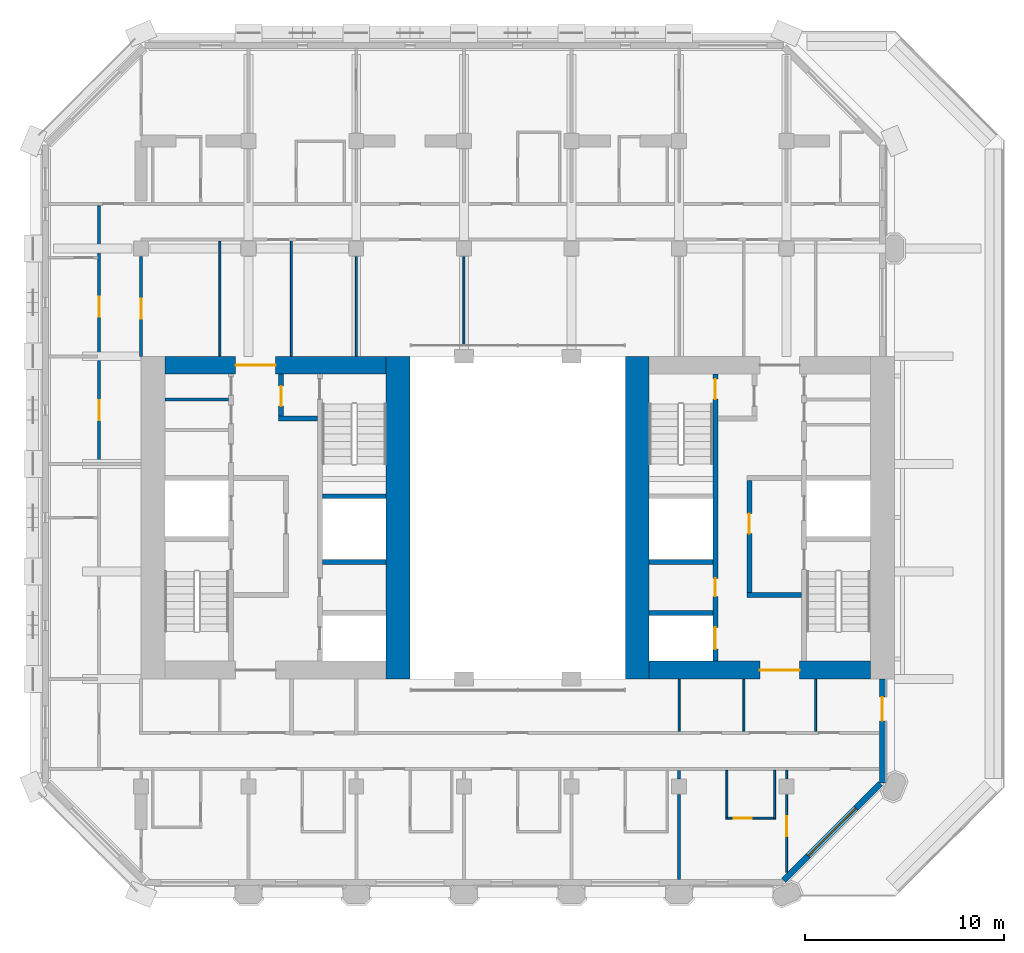
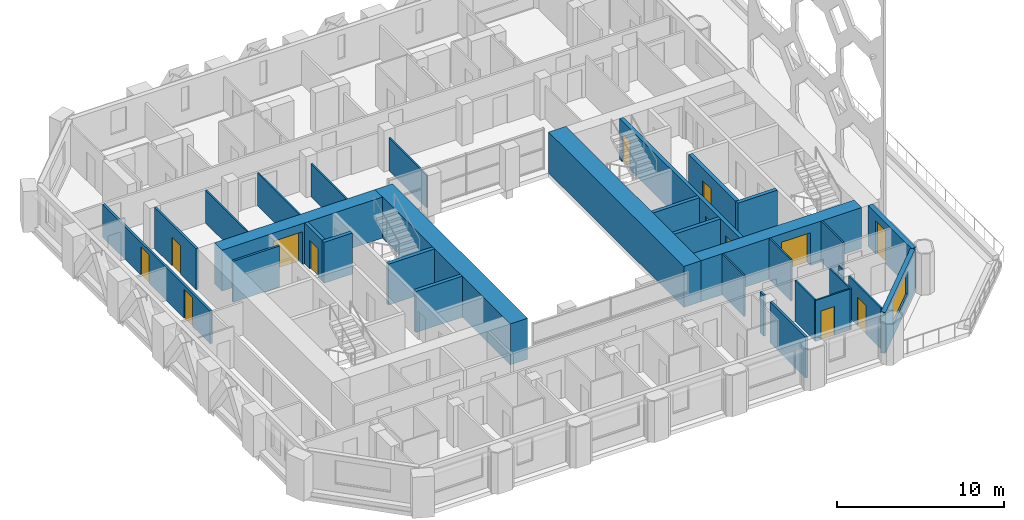
# One storey, part 9 of 15: 32 walls, 13 doors, 1 window, 14 openings.
"""IFC4 building model written with IfcOpenShell, lengths in metres."""

from ifc_helpers import new_model, si_unit, direction, frame, frame_2d, origin, place, context, subcontext, project, spatial, rectangle, extrude, material, layer, layer_set, type_object, element, fill, save


model = new_model("IFC4")

# Units and contexts
model_context = context("Model", 3, precision=1e-05, world=origin(), true_north=direction((0.0, 1.0)))
body_context = subcontext(model_context, "Body", "Model", "MODEL_VIEW")
ifc_project = project(units=[si_unit("LENGTHUNIT", "METRE"), si_unit("AREAUNIT", "SQUARE_METRE"), si_unit("VOLUMEUNIT", "CUBIC_METRE"), si_unit("PLANEANGLEUNIT", "RADIAN"), si_unit("MASSUNIT", "GRAM", prefix="KILO")], contexts=[model_context])

# Site, building, storey
site_placement = place(None, origin())
site = spatial("IfcSite", under=ifc_project, at=site_placement, CompositionType="ELEMENT")
building_placement = place(site_placement, origin())
building = spatial("IfcBuilding", under=site, at=building_placement, Name="Tabaq Tower and Sports Hall", CompositionType="ELEMENT")
storey_placement = place(building_placement, frame((0.0, 0.0, 207.10009765625)))
storey = spatial("IfcBuildingStorey", under=building, at=storey_placement, Name="L51", CompositionType="ELEMENT", Elevation=207.10009765625)

# Walls
ifc_material_1 = material(Name="Blockwork", Category="masonry")
ifc_layer_1 = layer(ifc_material_1, 0.14990234375)
ifc_layer_set_1 = layer_set([ifc_layer_1], Name="Core room partition 150 Blockwork")
wall_type_1 = type_object("IfcWallType", Name="Core room partition 150 Blockwork", PredefinedType="PARTITIONING", material=ifc_layer_set_1)
wall_1_placement = place(storey_placement, frame((6.60009765625, 30.23193359375, 0.0), z_axis=(0.0, 0.0, 1.0), x_axis=(1.0, 0.0, 0.0)))
element("IfcWall", 1, at=wall_1_placement, inside=storey, type_object=wall_type_1, Name="Core room partition W L51", PredefinedType="PARTITIONING", context=body_context, shape_type="SweptSolid", body=[
    extrude(rectangle(XDim=3.199951171875, YDim=0.14990234375, at=frame_2d((1.60009765625, 0.0))), origin(), (0.0, 0.0, 1.0), 3.0),
])
ifc_material_2 = material(Name="Concrete C50/60", Category="concrete")
ifc_layer_2 = layer(ifc_material_2, 1.199951171875)
ifc_layer_set_2 = layer_set([ifc_layer_2], Name="Core wall 1200 Concrete C50/60")
wall_type_2 = type_object("IfcWallType", Name="Core wall 1200 Concrete C50/60", PredefinedType="SOLIDWALL", material=ifc_layer_set_2)
for number, where, z_axis, x_axis, name in (
    (2, (18.300048828125, 32.39990234375, 0.0), (0.0, 0.0, 1.0), (0.0, -1.0, 0.0), "Core wall W L51"),
    (3, (30.300048828125, 16.199951171875, 0.0), (0.0, 0.0, 1.0), (0.0, 1.0, 0.0), "Core wall E L51"),
):
    element("IfcWall", number, at=place(storey_placement, frame(where, z_axis=z_axis, x_axis=x_axis)), inside=storey, type_object=wall_type_2, Name=name, PredefinedType="SOLIDWALL", context=body_context, shape_type="SweptSolid", body=[
        extrude(rectangle(XDim=16.199951171875, YDim=1.199951171875, at=frame_2d((8.10009765625, 0.0))), origin(), (0.0, 0.0, 1.0), 3.0),
    ])

# Wall, opening, door
ifc_material_3 = material(Name="Concrete C50/60", Category="concrete")
ifc_layer_3 = layer(ifc_material_3, 0.89990234375)
ifc_layer_set_3 = layer_set([ifc_layer_3], Name="Core wall 900 Concrete C50/60")
wall_type_3 = type_object("IfcWallType", Name="Core wall 900 Concrete C50/60", PredefinedType="SOLIDWALL", material=ifc_layer_set_3)
wall_2_placement = place(storey_placement, frame((6.60009765625, 31.949951171875, 0.0), z_axis=(0.0, 0.0, 1.0), x_axis=(1.0, 0.0, 0.0)))
wall_2 = element("IfcWall", 4, at=wall_2_placement, inside=storey, type_object=wall_type_3, Name="Core wall W L51", PredefinedType="SOLIDWALL", context=body_context, shape_type="SweptSolid", body=[
    extrude(rectangle(XDim=11.099853515625, YDim=0.89990234375, at=frame_2d((5.5498046875, 0.0))), origin(), (0.0, 0.0, 1.0), 3.0),
])
opening_1_placement = place(wall_2_placement, frame((3.550048828125, 0.0, 0.0)))
opening_1 = element("IfcOpeningElement", 5, at=opening_1_placement, cuts=wall_2, Name="Opening PD-WL51-02", PredefinedType="OPENING", context=body_context, shape_type="SweptSolid", body=[
    extrude(rectangle(XDim=2.0, YDim=2.39990234375, at=frame_2d((1.0, 1.199951171875))), frame((0.0, 0.449951171875, 0.0), z_axis=(0.0, -1.0, 0.0), x_axis=(1.0, 0.0, 0.0)), (0.0, 0.0, 1.0), 0.89990234375),
])
ifc_material_4 = material(Name="Steel fire door", Category="steel")
door_type_1 = type_object("IfcDoorType", Name="Core entrance door 2000", OperationType="DOUBLE_DOOR_SINGLE_SWING", PredefinedType="DOOR", material=ifc_material_4)
door_1_placement = place(opening_1_placement, origin())
door_1 = element("IfcDoor", 6, at=door_1_placement, inside=storey, type_object=door_type_1, Name="Core entrance north W L51", OperationType="DOUBLE_DOOR_SINGLE_SWING", OverallHeight=2.39990234375, OverallWidth=2.0, PredefinedType="DOOR", context=body_context, shape_type="SweptSolid", body=[
    extrude(rectangle(XDim=2.0, YDim=2.39990234375, at=frame_2d((1.0, 1.199951171875))), frame((0.0, 0.02490234375, 0.0), z_axis=(0.0, -1.0, 0.0), x_axis=(1.0, 0.0, 0.0)), (0.0, 0.0, 1.0), 0.050048828125),
])
fill(opening_1, door_1)

wall_3_placement = place(storey_placement, frame((42.0, 16.64990234375, 0.0), z_axis=(0.0, 0.0, 1.0), x_axis=(-1.0, 0.0, 0.0)))
wall_3 = element("IfcWall", 7, at=wall_3_placement, inside=storey, type_object=wall_type_3, Name="Core wall E L51", PredefinedType="SOLIDWALL", context=body_context, shape_type="SweptSolid", body=[
    extrude(rectangle(XDim=11.10009765625, YDim=0.89990234375, at=frame_2d((5.550048828125, 0.0))), origin(), (0.0, 0.0, 1.0), 3.0),
])
opening_2_placement = place(wall_3_placement, frame((3.550048828125, 0.0, 0.0)))
opening_2 = element("IfcOpeningElement", 8, at=opening_2_placement, cuts=wall_3, Name="Opening PD-EL51-01", PredefinedType="OPENING", context=body_context, shape_type="SweptSolid", body=[
    extrude(rectangle(XDim=2.0, YDim=2.39990234375, at=frame_2d((1.0, 1.199951171875))), frame((0.0, 0.449951171875, 0.0), z_axis=(0.0, -1.0, 0.0), x_axis=(1.0, 0.0, 0.0)), (0.0, 0.0, 1.0), 0.89990234375),
])
door_2_placement = place(opening_2_placement, origin())
door_2 = element("IfcDoor", 9, at=door_2_placement, inside=storey, type_object=door_type_1, Name="Core entrance south E L51", OperationType="DOUBLE_DOOR_SINGLE_SWING", OverallHeight=2.39990234375, OverallWidth=2.0, PredefinedType="DOOR", context=body_context, shape_type="SweptSolid", body=[
    extrude(rectangle(XDim=2.0, YDim=2.39990234375, at=frame_2d((1.0, 1.199951171875))), frame((0.0, 0.02490234375, 0.0), z_axis=(0.0, -1.0, 0.0), x_axis=(1.0, 0.0, 0.0)), (0.0, 0.0, 1.0), 0.050048828125),
])
fill(opening_2, door_2)

# Walls
ifc_material_5 = material(Name="Gypsum board on steel studs", Category="steel")
ifc_layer_4 = layer(ifc_material_5, 0.10009765625)
ifc_layer_set_4 = layer_set([ifc_layer_4], Name="Partition 100 Gypsum board")
wall_type_4 = type_object("IfcWallType", Name="Partition 100 Gypsum board", PredefinedType="PARTITIONING", material=ifc_layer_set_4)
wall_4_placement = place(storey_placement, frame((21.60009765625, 37.405029296875, 0.0), z_axis=(0.0, 0.0, 1.0), x_axis=(0.0, -1.0, 0.0)))
element("IfcWall", 10, at=wall_4_placement, inside=storey, type_object=wall_type_4, Name="Partition wall L51", PredefinedType="PARTITIONING", context=body_context, shape_type="SweptSolid", body=[
    extrude(rectangle(XDim=4.510009765625, YDim=0.10009765625, at=frame_2d((2.2548828125, 0.0))), origin(), (0.0, 0.0, 1.0), 2.39990234375),
])
wall_5_placement = place(storey_placement, frame((16.199951171875, 37.405029296875, 0.0), z_axis=(0.0, 0.0, 1.0), x_axis=(0.0, -1.0, 0.0)))
element("IfcWall", 11, at=wall_5_placement, inside=storey, type_object=wall_type_4, Name="Partition wall L51", PredefinedType="PARTITIONING", context=body_context, shape_type="SweptSolid", body=[
    extrude(rectangle(XDim=5.005126953125, YDim=0.10009765625, at=frame_2d((2.50244140625, 0.0))), origin(), (0.0, 0.0, 1.0), 2.39990234375),
])
for number, where, z_axis, x_axis, name in (
    (12, (12.949951171875, 32.39990234375, 0.0), (0.0, 0.0, 1.0), (0.0, 1.0, 0.0), "Partition wall L51"),
    (13, (9.35009765625, 38.175048828125, 0.0), (0.0, 0.0, 1.0), (0.0, -1.0, 0.0), "Partition wall L51"),
):
    element("IfcWall", number, at=place(storey_placement, frame(where, z_axis=z_axis, x_axis=x_axis)), inside=storey, type_object=wall_type_4, Name=name, PredefinedType="PARTITIONING", context=body_context, shape_type="SweptSolid", body=[
        extrude(rectangle(XDim=5.775146484375, YDim=0.10009765625, at=frame_2d((2.8876953125, 0.0))), origin(), (0.0, 0.0, 1.0), 2.39990234375),
    ])

# Wall, opening, door
wall_6_placement = place(storey_placement, frame((37.800048828125, 6.51220703125, 0.0), z_axis=(0.0, 0.0, 1.0), x_axis=(0.0, 1.0, 0.0)))
wall_6 = element("IfcWall", 14, at=wall_6_placement, inside=storey, type_object=wall_type_4, Name="Partition wall L51", PredefinedType="PARTITIONING", context=body_context, shape_type="SweptSolid", body=[
    extrude(rectangle(XDim=3.892822265625, YDim=0.10009765625, at=frame_2d((1.9462890625, 0.0))), origin(), (0.0, 0.0, 1.0), 3.0),
])
opening_3_placement = place(wall_6_placement, frame((1.80029296875, 0.0, 0.0)))
opening_3 = element("IfcOpeningElement", 15, at=opening_3_placement, cuts=wall_6, Name="Opening L51-047", PredefinedType="OPENING", context=body_context, shape_type="SweptSolid", body=[
    extrude(rectangle(XDim=1.0, YDim=2.10009765625, at=frame_2d((0.5, 1.050048828125))), frame((0.0, 0.050048828125, 0.0), z_axis=(0.0, -1.0, 0.0), x_axis=(1.0, 0.0, 0.0)), (0.0, 0.0, 1.0), 0.10009765625),
])
ifc_material_6 = material(Name="Timber leaf in steel frame", Category="steel")
door_type_2 = type_object("IfcDoorType", Name="Internal door 1000 right hand", OperationType="SINGLE_SWING_RIGHT", PredefinedType="DOOR", material=ifc_material_6)
door_3_placement = place(opening_3_placement, origin())
door_3 = element("IfcDoor", 16, at=door_3_placement, inside=storey, type_object=door_type_2, Name="Internal door L51-047", OperationType="SINGLE_SWING_RIGHT", OverallHeight=2.10009765625, OverallWidth=1.0, PredefinedType="DOOR", context=body_context, shape_type="SweptSolid", body=[
    extrude(rectangle(XDim=1.0, YDim=2.10009765625, at=frame_2d((0.5, 1.050048828125))), frame((0.0, 0.02490234375, 0.0), z_axis=(0.0, -1.0, 0.0), x_axis=(1.0, 0.0, 0.0)), (0.0, 0.0, 1.0), 0.050048828125),
])
fill(opening_3, door_3)

# Walls
wall_7_placement = place(storey_placement, frame((37.800048828125, 11.195068359375, 0.0), z_axis=(0.0, 0.0, 1.0), x_axis=(0.0, 1.0, 0.0)))
element("IfcWall", 17, at=wall_7_placement, inside=storey, type_object=wall_type_4, Name="Partition wall L51", PredefinedType="PARTITIONING", context=body_context, shape_type="SweptSolid", body=[
    extrude(rectangle(XDim=0.429931640625, YDim=0.10009765625, at=frame_2d((0.21484375, 0.0))), origin(), (0.0, 0.0, 1.0), 3.0),
])
wall_8_placement = place(storey_placement, frame((37.199951171875, 11.625, 0.0), z_axis=(0.0, 0.0, 1.0), x_axis=(0.0, -1.0, 0.0)))
element("IfcWall", 18, at=wall_8_placement, inside=storey, type_object=wall_type_4, Name="Partition wall L51", PredefinedType="PARTITIONING", context=body_context, shape_type="SweptSolid", body=[
    extrude(rectangle(XDim=2.449951171875, YDim=0.10009765625, at=frame_2d((1.22509765625, 0.0))), origin(), (0.0, 0.0, 1.0), 3.0),
])

# Wall, opening, door
wall_9_placement = place(storey_placement, frame((37.14990234375, 9.22509765625, 0.0), z_axis=(0.0, 0.0, 1.0), x_axis=(-1.0, 0.0, 0.0)))
wall_9 = element("IfcWall", 19, at=wall_9_placement, inside=storey, type_object=wall_type_4, Name="Partition wall L51", PredefinedType="PARTITIONING", context=body_context, shape_type="SweptSolid", body=[
    extrude(rectangle(XDim=2.39990234375, YDim=0.10009765625, at=frame_2d((1.199951171875, 0.0))), origin(), (0.0, 0.0, 1.0), 3.0),
])
opening_4_placement = place(wall_9_placement, frame((1.10009765625, 0.0, 0.0)))
opening_4 = element("IfcOpeningElement", 20, at=opening_4_placement, cuts=wall_9, Name="Opening L51-015", PredefinedType="OPENING", context=body_context, shape_type="SweptSolid", body=[
    extrude(rectangle(XDim=0.89990234375, YDim=2.10009765625, at=frame_2d((0.449951171875, 1.050048828125))), frame((0.0, 0.050048828125, 0.0), z_axis=(0.0, -1.0, 0.0), x_axis=(1.0, 0.0, 0.0)), (0.0, 0.0, 1.0), 0.10009765625),
])
ifc_material_7 = material(Name="Timber leaf in steel frame", Category="steel")
door_type_3 = type_object("IfcDoorType", Name="Internal door 900 right hand", OperationType="SINGLE_SWING_RIGHT", PredefinedType="DOOR", material=ifc_material_7)
door_4_placement = place(opening_4_placement, origin())
door_4 = element("IfcDoor", 21, at=door_4_placement, inside=storey, type_object=door_type_3, Name="Internal door L51-015", OperationType="SINGLE_SWING_RIGHT", OverallHeight=2.10009765625, OverallWidth=0.89990234375, PredefinedType="DOOR", context=body_context, shape_type="SweptSolid", body=[
    extrude(rectangle(XDim=0.89990234375, YDim=2.10009765625, at=frame_2d((0.449951171875, 1.050048828125))), frame((0.0, 0.02490234375, 0.0), z_axis=(0.0, -1.0, 0.0), x_axis=(1.0, 0.0, 0.0)), (0.0, 0.0, 1.0), 0.050048828125),
])
fill(opening_4, door_4)

# Walls
wall_10_placement = place(storey_placement, frame((34.800048828125, 9.27490234375, 0.0), z_axis=(0.0, 0.0, 1.0), x_axis=(0.0, 1.0, 0.0)))
element("IfcWall", 22, at=wall_10_placement, inside=storey, type_object=wall_type_4, Name="Partition wall L51", PredefinedType="PARTITIONING", context=body_context, shape_type="SweptSolid", body=[
    extrude(rectangle(XDim=2.35009765625, YDim=0.10009765625, at=frame_2d((1.175048828125, 0.0))), origin(), (0.0, 0.0, 1.0), 3.0),
])
for number, where, z_axis, x_axis, name in (
    (23, (32.39990234375, 13.574951171875, 0.0), (0.0, 0.0, 1.0), (0.0, 1.0, 0.0), "Partition wall L51"),
    (24, (35.64990234375, 16.199951171875, 0.0), (0.0, 0.0, 1.0), (0.0, -1.0, 0.0), "Partition wall L51"),
    (25, (39.25, 13.574951171875, 0.0), (0.0, 0.0, 1.0), (0.0, 1.0, 0.0), "Partition wall L51"),
):
    element("IfcWall", number, at=place(storey_placement, frame(where, z_axis=z_axis, x_axis=x_axis)), inside=storey, type_object=wall_type_4, Name=name, PredefinedType="PARTITIONING", context=body_context, shape_type="SweptSolid", body=[
        extrude(rectangle(XDim=2.625, YDim=0.10009765625, at=frame_2d((1.3125, 0.0))), origin(), (0.0, 0.0, 1.0), 3.0),
    ])

# Wall, openings, doors
ifc_material_8 = material(Name="Blockwork", Category="masonry")
ifc_layer_5 = layer(ifc_material_8, 0.14990234375)
ifc_layer_set_5 = layer_set([ifc_layer_5], Name="Separating wall 150 Blockwork")
wall_type_5 = type_object("IfcWallType", Name="Separating wall 150 Blockwork", PredefinedType="PARTITIONING", material=ifc_layer_set_5)
wall_11_placement = place(storey_placement, frame((3.300048828125, 27.074951171875, 0.0), z_axis=(0.0, 0.0, 1.0), x_axis=(0.0, 1.0, 0.0)))
wall_11 = element("IfcWall", 26, at=wall_11_placement, inside=storey, type_object=wall_type_5, Name="Separating wall L51", PredefinedType="PARTITIONING", context=body_context, shape_type="SweptSolid", body=[
    extrude(rectangle(XDim=12.900146484375, YDim=0.14990234375, at=frame_2d((6.4501953125, 0.0))), origin(), (0.0, 0.0, 1.0), 2.39990234375),
])
opening_5_placement = place(wall_11_placement, frame((2.125, 0.0, 0.0)))
opening_5 = element("IfcOpeningElement", 27, at=opening_5_placement, cuts=wall_11, Name="Opening L51-009", PredefinedType="OPENING", context=body_context, shape_type="SweptSolid", body=[
    extrude(rectangle(XDim=1.0, YDim=2.10009765625, at=frame_2d((0.5, 1.050048828125))), frame((0.0, 0.074951171875, 0.0), z_axis=(0.0, -1.0, 0.0), x_axis=(1.0, 0.0, 0.0)), (0.0, 0.0, 1.0), 0.14990234375),
])
opening_6_placement = place(wall_11_placement, frame((7.300048828125, 0.0, 0.0)))
opening_6 = element("IfcOpeningElement", 28, at=opening_6_placement, cuts=wall_11, Name="Opening L51-027", PredefinedType="OPENING", context=body_context, shape_type="SweptSolid", body=[
    extrude(rectangle(XDim=1.0, YDim=2.10009765625, at=frame_2d((0.5, 1.050048828125))), frame((0.0, 0.074951171875, 0.0), z_axis=(0.0, -1.0, 0.0), x_axis=(1.0, 0.0, 0.0)), (0.0, 0.0, 1.0), 0.14990234375),
])
ifc_material_9 = material(Name="Steel fire door", Category="steel")
door_type_4 = type_object("IfcDoorType", Name="Entrance door 1000 left hand", OperationType="SINGLE_SWING_LEFT", PredefinedType="DOOR", material=ifc_material_9)
door_5_placement = place(opening_6_placement, origin())
door_5 = element("IfcDoor", 29, at=door_5_placement, inside=storey, type_object=door_type_4, Name="Entrance door L51-027", OperationType="SINGLE_SWING_LEFT", OverallHeight=2.10009765625, OverallWidth=1.0, PredefinedType="DOOR", context=body_context, shape_type="SweptSolid", body=[
    extrude(rectangle(XDim=1.0, YDim=2.10009765625, at=frame_2d((0.5, 1.050048828125))), frame((0.0, 0.02490234375, 0.0), z_axis=(0.0, -1.0, 0.0), x_axis=(1.0, 0.0, 0.0)), (0.0, 0.0, 1.0), 0.050048828125),
])
fill(opening_6, door_5)
door_6_placement = place(opening_5_placement, origin())
door_6 = element("IfcDoor", 30, at=door_6_placement, inside=storey, type_object=door_type_2, Name="Internal door L51-009", OperationType="SINGLE_SWING_RIGHT", OverallHeight=2.10009765625, OverallWidth=1.0, PredefinedType="DOOR", context=body_context, shape_type="SweptSolid", body=[
    extrude(rectangle(XDim=1.0, YDim=2.10009765625, at=frame_2d((0.5, 1.050048828125))), frame((0.0, 0.02490234375, 0.0), z_axis=(0.0, -1.0, 0.0), x_axis=(1.0, 0.0, 0.0)), (0.0, 0.0, 1.0), 0.050048828125),
])
fill(opening_5, door_6)

# Wall, opening, door
wall_12_placement = place(storey_placement, frame((5.39990234375, 32.39990234375, 0.0), z_axis=(0.0, 0.0, 1.0), x_axis=(0.0, 1.0, 0.0)))
wall_12 = element("IfcWall", 31, at=wall_12_placement, inside=storey, type_object=wall_type_5, Name="Separating wall L51", PredefinedType="PARTITIONING", context=body_context, shape_type="SweptSolid", body=[
    extrude(rectangle(XDim=5.005126953125, YDim=0.14990234375, at=frame_2d((2.50244140625, 0.0))), origin(), (0.0, 0.0, 1.0), 3.0),
])
opening_7_placement = place(wall_12_placement, frame((1.89404296875, 0.0, 0.0)))
opening_7 = element("IfcOpeningElement", 32, at=opening_7_placement, cuts=wall_12, Name="Opening L51-012", PredefinedType="OPENING", context=body_context, shape_type="SweptSolid", body=[
    extrude(rectangle(XDim=1.0, YDim=2.10009765625, at=frame_2d((0.5, 1.050048828125))), frame((0.0, 0.074951171875, 0.0), z_axis=(0.0, -1.0, 0.0), x_axis=(1.0, 0.0, 0.0)), (0.0, 0.0, 1.0), 0.14990234375),
])
ifc_material_10 = material(Name="Timber leaf in steel frame", Category="steel")
door_type_5 = type_object("IfcDoorType", Name="Internal door 1000 left hand", OperationType="SINGLE_SWING_LEFT", PredefinedType="DOOR", material=ifc_material_10)
door_7_placement = place(opening_7_placement, origin())
door_7 = element("IfcDoor", 33, at=door_7_placement, inside=storey, type_object=door_type_5, Name="Internal door L51-012", OperationType="SINGLE_SWING_LEFT", OverallHeight=2.10009765625, OverallWidth=1.0, PredefinedType="DOOR", context=body_context, shape_type="SweptSolid", body=[
    extrude(rectangle(XDim=1.0, YDim=2.10009765625, at=frame_2d((0.5, 1.050048828125))), frame((0.0, 0.02490234375, 0.0), z_axis=(0.0, -1.0, 0.0), x_axis=(1.0, 0.0, 0.0)), (0.0, 0.0, 1.0), 0.050048828125),
])
fill(opening_7, door_7)

# Walls
wall_13_placement = place(storey_placement, frame((32.39990234375, 11.625, 0.0), z_axis=(0.0, 0.0, 1.0), x_axis=(0.0, -1.0, 0.0)))
element("IfcWall", 34, at=wall_13_placement, inside=storey, type_object=wall_type_5, Name="Separating wall L51", PredefinedType="PARTITIONING", context=body_context, shape_type="SweptSolid", body=[
    extrude(rectangle(XDim=0.429931640625, YDim=0.14990234375, at=frame_2d((0.21484375, 0.0))), origin(), (0.0, 0.0, 1.0), 3.0),
])
wall_14_placement = place(storey_placement, frame((32.39990234375, 10.405029296875, 0.0), z_axis=(0.0, 0.0, 1.0), x_axis=(0.0, -1.0, 0.0)))
element("IfcWall", 35, at=wall_14_placement, inside=storey, type_object=wall_type_5, Name="Separating wall L51", PredefinedType="PARTITIONING", context=body_context, shape_type="SweptSolid", body=[
    extrude(rectangle(XDim=4.254150390625, YDim=0.14990234375, at=frame_2d((2.126953125, 0.0))), origin(), (0.0, 0.0, 1.0), 3.0),
])
ifc_material_11 = material(Name="Concrete C40/50", Category="concrete")
ifc_layer_6 = layer(ifc_material_11, 0.25)
ifc_layer_set_6 = layer_set([ifc_layer_6], Name="Shaft and stair wall 250 Concrete C40/50")
wall_type_6 = type_object("IfcWallType", Name="Shaft and stair wall 250 Concrete C40/50", PredefinedType="SOLIDWALL", material=ifc_layer_set_6)
for number, where, z_axis, x_axis, name in (
    (36, (14.5, 25.375, 0.0), (0.0, 0.0, 1.0), (1.0, 0.0, 0.0), "Stair enclosure wall W L51"),
    (37, (14.5, 22.074951171875, 0.0), (0.0, 0.0, 1.0), (1.0, 0.0, 0.0), "Shaft wall W L51"),
):
    element("IfcWall", number, at=place(storey_placement, frame(where, z_axis=z_axis, x_axis=x_axis)), inside=storey, type_object=wall_type_6, Name=name, PredefinedType="SOLIDWALL", context=body_context, shape_type="SweptSolid", body=[
        extrude(rectangle(XDim=3.199951171875, YDim=0.25, at=frame_2d((1.60009765625, 0.0))), origin(), (0.0, 0.0, 1.0), 3.0),
    ])

# Wall, opening, door
wall_15_placement = place(storey_placement, frame((12.425048828125, 29.39990234375, 0.0), z_axis=(0.0, 0.0, 1.0), x_axis=(0.0, 1.0, 0.0)))
wall_15 = element("IfcWall", 38, at=wall_15_placement, inside=storey, type_object=wall_type_6, Name="Fire-fighting lobby wall W L51", PredefinedType="SOLIDWALL", context=body_context, shape_type="SweptSolid", body=[
    extrude(rectangle(XDim=2.10009765625, YDim=0.25, at=frame_2d((1.050048828125, 0.0))), origin(), (0.0, 0.0, 1.0), 3.0),
])
opening_8_placement = place(wall_15_placement, frame((0.5, 0.0, 0.0)))
opening_8 = element("IfcOpeningElement", 39, at=opening_8_placement, cuts=wall_15, Name="Opening FD-WL51-06", PredefinedType="OPENING", context=body_context, shape_type="SweptSolid", body=[
    extrude(rectangle(XDim=1.0, YDim=2.10009765625, at=frame_2d((0.5, 1.050048828125))), frame((0.0, 0.125, 0.0), z_axis=(0.0, -1.0, 0.0), x_axis=(1.0, 0.0, 0.0)), (0.0, 0.0, 1.0), 0.25),
])
ifc_material_12 = material(Name="Steel fire door", Category="steel")
door_type_6 = type_object("IfcDoorType", Name="Fire-fighting lobby door 1000", OperationType="SINGLE_SWING_LEFT", PredefinedType="DOOR", material=ifc_material_12)
door_8_placement = place(opening_8_placement, origin())
door_8 = element("IfcDoor", 40, at=door_8_placement, inside=storey, type_object=door_type_6, Name="Stair lobby door W L51", OperationType="SINGLE_SWING_LEFT", OverallHeight=2.10009765625, OverallWidth=1.0, PredefinedType="DOOR", context=body_context, shape_type="SweptSolid", body=[
    extrude(rectangle(XDim=1.0, YDim=2.10009765625, at=frame_2d((0.5, 1.050048828125))), frame((0.0, 0.02490234375, 0.0), z_axis=(0.0, -1.0, 0.0), x_axis=(1.0, 0.0, 0.0)), (0.0, 0.0, 1.0), 0.050048828125),
])
fill(opening_8, door_8)

# Wall
wall_16_placement = place(storey_placement, frame((12.300048828125, 29.27490234375, 0.0), z_axis=(0.0, 0.0, 1.0), x_axis=(1.0, 0.0, 0.0)))
element("IfcWall", 41, at=wall_16_placement, inside=storey, type_object=wall_type_6, Name="Fire-fighting lobby wall W L51", PredefinedType="SOLIDWALL", context=body_context, shape_type="SweptSolid", body=[
    extrude(rectangle(XDim=1.949951171875, YDim=0.25, at=frame_2d((0.97509765625, 0.0))), origin(), (0.0, 0.0, 1.0), 3.0),
])

# Wall, openings, doors
wall_17_placement = place(storey_placement, frame((34.22509765625, 17.10009765625, 0.0), z_axis=(0.0, 0.0, 1.0), x_axis=(0.0, 1.0, 0.0)))
wall_17 = element("IfcWall", 42, at=wall_17_placement, inside=storey, type_object=wall_type_6, Name="Shaft wall E L51", PredefinedType="SOLIDWALL", context=body_context, shape_type="SweptSolid", body=[
    extrude(rectangle(XDim=14.39990234375, YDim=0.25, at=frame_2d((7.199951171875, 0.0))), origin(), (0.0, 0.0, 1.0), 3.0),
])
opening_9_placement = place(wall_17_placement, frame((13.14990234375, 0.0, 0.0)))
opening_9 = element("IfcOpeningElement", 43, at=opening_9_placement, cuts=wall_17, Name="Opening SD-EL51-05", PredefinedType="OPENING", context=body_context, shape_type="SweptSolid", body=[
    extrude(rectangle(XDim=1.0, YDim=2.10009765625, at=frame_2d((0.5, 1.050048828125))), frame((0.0, 0.125, 0.0), z_axis=(0.0, -1.0, 0.0), x_axis=(1.0, 0.0, 0.0)), (0.0, 0.0, 1.0), 0.25),
])
opening_10_placement = place(wall_17_placement, frame((0.60009765625, 0.0, 0.0)))
opening_10 = element("IfcOpeningElement", 44, at=opening_10_placement, cuts=wall_17, Name="Opening LD-MR2-L51", PredefinedType="OPENING", context=body_context, shape_type="SweptSolid", body=[
    extrude(rectangle(XDim=1.10009765625, YDim=2.10009765625, at=frame_2d((0.550048828125, 1.050048828125))), frame((0.0, 0.125, 0.0), z_axis=(0.0, -1.0, 0.0), x_axis=(1.0, 0.0, 0.0)), (0.0, 0.0, 1.0), 0.25),
])
opening_11_placement = place(wall_17_placement, frame((3.25, 0.0, 0.0)))
opening_11 = element("IfcOpeningElement", 45, at=opening_11_placement, cuts=wall_17, Name="Opening RD-EL51-12", PredefinedType="OPENING", context=body_context, shape_type="SweptSolid", body=[
    extrude(rectangle(XDim=0.89990234375, YDim=2.10009765625, at=frame_2d((0.449951171875, 1.050048828125))), frame((0.0, 0.125, 0.0), z_axis=(0.0, -1.0, 0.0), x_axis=(1.0, 0.0, 0.0)), (0.0, 0.0, 1.0), 0.25),
])
ifc_material_13 = material(Name="Steel fire door", Category="steel")
door_type_7 = type_object("IfcDoorType", Name="Core room door 900", OperationType="SINGLE_SWING_LEFT", PredefinedType="DOOR", material=ifc_material_13)
door_9_placement = place(opening_11_placement, origin())
door_9 = element("IfcDoor", 46, at=door_9_placement, inside=storey, type_object=door_type_7, Name="Door Cleaner's Store E L51", OperationType="SINGLE_SWING_LEFT", OverallHeight=2.10009765625, OverallWidth=0.89990234375, PredefinedType="DOOR", context=body_context, shape_type="SweptSolid", body=[
    extrude(rectangle(XDim=0.89990234375, YDim=2.10009765625, at=frame_2d((0.449951171875, 1.050048828125))), frame((0.0, 0.02490234375, 0.0), z_axis=(0.0, -1.0, 0.0), x_axis=(1.0, 0.0, 0.0)), (0.0, 0.0, 1.0), 0.050048828125),
])
fill(opening_11, door_9)
ifc_material_14 = material(Name="Stainless steel", Category="steel")
door_type_8 = type_object("IfcDoorType", Name="Lift landing door 1100", OperationType="DOUBLE_DOOR_SLIDING", PredefinedType="DOOR", material=ifc_material_14)
door_10_placement = place(opening_10_placement, origin())
door_10 = element("IfcDoor", 47, at=door_10_placement, inside=storey, type_object=door_type_8, Name="Lift landing door MR2 E L51", OperationType="DOUBLE_DOOR_SLIDING", OverallHeight=2.10009765625, OverallWidth=1.10009765625, PredefinedType="DOOR", context=body_context, shape_type="SweptSolid", body=[
    extrude(rectangle(XDim=1.10009765625, YDim=2.10009765625, at=frame_2d((0.550048828125, 1.050048828125))), frame((0.0, 0.02490234375, 0.0), z_axis=(0.0, -1.0, 0.0), x_axis=(1.0, 0.0, 0.0)), (0.0, 0.0, 1.0), 0.050048828125),
])
fill(opening_10, door_10)
ifc_material_15 = material(Name="Steel fire door", Category="steel")
door_type_9 = type_object("IfcDoorType", Name="Stair door 1000", OperationType="SINGLE_SWING_LEFT", PredefinedType="DOOR", material=ifc_material_15)
door_11_placement = place(opening_9_placement, origin())
door_11 = element("IfcDoor", 48, at=door_11_placement, inside=storey, type_object=door_type_9, Name="Stair door ST4 E L51", OperationType="SINGLE_SWING_LEFT", OverallHeight=2.10009765625, OverallWidth=1.0, PredefinedType="DOOR", context=body_context, shape_type="SweptSolid", body=[
    extrude(rectangle(XDim=1.0, YDim=2.10009765625, at=frame_2d((0.5, 1.050048828125))), frame((0.0, 0.02490234375, 0.0), z_axis=(0.0, -1.0, 0.0), x_axis=(1.0, 0.0, 0.0)), (0.0, 0.0, 1.0), 0.050048828125),
])
fill(opening_9, door_11)

# Walls
wall_18_placement = place(storey_placement, frame((30.89990234375, 22.074951171875, 0.0), z_axis=(0.0, 0.0, 1.0), x_axis=(1.0, 0.0, 0.0)))
element("IfcWall", 49, at=wall_18_placement, inside=storey, type_object=wall_type_6, Name="Shaft wall E L51", PredefinedType="SOLIDWALL", context=body_context, shape_type="SweptSolid", body=[
    extrude(rectangle(XDim=3.2001953125, YDim=0.25, at=frame_2d((1.60009765625, 0.0))), origin(), (0.0, 0.0, 1.0), 3.0),
])
wall_19_placement = place(storey_placement, frame((35.800048828125, 20.425048828125, 0.0), z_axis=(0.0, 0.0, 1.0), x_axis=(1.0, 0.0, 0.0)))
element("IfcWall", 50, at=wall_19_placement, inside=storey, type_object=wall_type_6, Name="Fire-fighting lobby wall E L51", PredefinedType="SOLIDWALL", context=body_context, shape_type="SweptSolid", body=[
    extrude(rectangle(XDim=2.75, YDim=0.25, at=frame_2d((1.375, 0.0))), origin(), (0.0, 0.0, 1.0), 3.0),
])

# Wall, opening, door
wall_20_placement = place(storey_placement, frame((35.925048828125, 20.550048828125, 0.0), z_axis=(0.0, 0.0, 1.0), x_axis=(0.0, 1.0, 0.0)))
wall_20 = element("IfcWall", 51, at=wall_20_placement, inside=storey, type_object=wall_type_6, Name="Fire-fighting lobby wall E L51", PredefinedType="SOLIDWALL", context=body_context, shape_type="SweptSolid", body=[
    extrude(rectangle(XDim=5.625, YDim=0.25, at=frame_2d((2.8125, 0.0))), origin(), (0.0, 0.0, 1.0), 3.0),
])
opening_12_placement = place(wall_20_placement, frame((2.949951171875, 0.0, 0.0)))
opening_12 = element("IfcOpeningElement", 52, at=opening_12_placement, cuts=wall_20, Name="Opening FD-EL51-04", PredefinedType="OPENING", context=body_context, shape_type="SweptSolid", body=[
    extrude(rectangle(XDim=1.0, YDim=2.10009765625, at=frame_2d((0.5, 1.050048828125))), frame((0.0, 0.125, 0.0), z_axis=(0.0, -1.0, 0.0), x_axis=(1.0, 0.0, 0.0)), (0.0, 0.0, 1.0), 0.25),
])
door_12_placement = place(opening_12_placement, origin())
door_12 = element("IfcDoor", 53, at=door_12_placement, inside=storey, type_object=door_type_6, Name="Fire-fighting lobby door E L51", OperationType="SINGLE_SWING_LEFT", OverallHeight=2.10009765625, OverallWidth=1.0, PredefinedType="DOOR", context=body_context, shape_type="SweptSolid", body=[
    extrude(rectangle(XDim=1.0, YDim=2.10009765625, at=frame_2d((0.5, 1.050048828125))), frame((0.0, 0.02490234375, 0.0), z_axis=(0.0, -1.0, 0.0), x_axis=(1.0, 0.0, 0.0)), (0.0, 0.0, 1.0), 0.050048828125),
])
fill(opening_12, door_12)

# Wall
wall_21_placement = place(storey_placement, frame((30.89990234375, 19.52490234375, 0.0), z_axis=(0.0, 0.0, 1.0), x_axis=(1.0, 0.0, 0.0)))
element("IfcWall", 54, at=wall_21_placement, inside=storey, type_object=wall_type_6, Name="Shaft wall E L51", PredefinedType="SOLIDWALL", context=body_context, shape_type="SweptSolid", body=[
    extrude(rectangle(XDim=3.2001953125, YDim=0.25, at=frame_2d((1.60009765625, 0.0))), origin(), (0.0, 0.0, 1.0), 3.0),
])

# Wall, opening, window
ifc_material_16 = material(Name="White precast concrete C60/75", Category="concrete")
ifc_layer_7 = layer(ifc_material_16, 0.300048828125)
ifc_layer_set_7 = layer_set([ifc_layer_7], Name="White precast concrete C60/75 external wall 300")
wall_type_7 = type_object("IfcWallType", Name="White precast concrete C60/75 external wall 300", PredefinedType="SOLIDWALL", material=ifc_layer_set_7)
wall_22_placement = place(storey_placement, frame((37.650390625, 6.098876953125, 0.0), z_axis=(0.0, 0.0, 1.0), x_axis=(0.707106781187, 0.707106781187, 0.0)))
wall_22 = element("IfcWall", 55, at=wall_22_placement, inside=storey, type_object=wall_type_7, Name="External Wall L51 SE", PredefinedType="SOLIDWALL", context=body_context, shape_type="SweptSolid", body=[
    extrude(rectangle(XDim=6.85986328125, YDim=0.300048828125, at=frame_2d((3.429931640625, 0.0))), origin(), (0.0, 0.0, 1.0), 3.0),
])
opening_13_placement = place(wall_22_placement, frame((1.729736328125, 0.0, 0.89990234375)))
opening_13 = element("IfcOpeningElement", 56, at=opening_13_placement, cuts=wall_22, Name="Opening W1A", PredefinedType="OPENING", context=body_context, shape_type="SweptSolid", body=[
    extrude(rectangle(XDim=3.39990234375, YDim=1.699951171875, at=frame_2d((1.699951171875, 0.85009765625))), frame((0.0, 0.16015625, 0.0), z_axis=(0.0, -1.0, 0.0), x_axis=(1.0, 0.0, 0.0)), (0.0, 0.0, 1.0), 0.320068359375),
])
ifc_material_17 = material(Name="Aluminium framed clear glazing", Category="aluminium")
window_type = type_object("IfcWindowType", Name="Window W1A", PartitioningType="SINGLE_PANEL", PredefinedType="WINDOW", material=ifc_material_17)
window_placement = place(opening_13_placement, origin())
window = element("IfcWindow", 57, at=window_placement, inside=storey, type_object=window_type, Name="Window W1A L51", OverallHeight=1.699951171875, OverallWidth=3.39990234375, PartitioningType="SINGLE_PANEL", PredefinedType="WINDOW", context=body_context, shape_type="SweptSolid", body=[
    extrude(rectangle(XDim=3.39990234375, YDim=1.699951171875, at=frame_2d((1.699951171875, 0.85009765625))), frame((0.0, 0.030029296875, 0.0), z_axis=(0.0, -1.0, 0.0), x_axis=(1.0, 0.0, 0.0)), (0.0, 0.0, 1.0), 0.06005859375),
])
fill(opening_13, window)

# Wall, opening, door
wall_23_placement = place(storey_placement, frame((42.60009765625, 10.986328125, 0.0), z_axis=(0.0, 0.0, 1.0), x_axis=(0.0, 1.0, 0.0)))
wall_23 = element("IfcWall", 58, at=wall_23_placement, inside=storey, type_object=wall_type_7, Name="External Wall L51 E", PredefinedType="SOLIDWALL", context=body_context, shape_type="SweptSolid", body=[
    extrude(rectangle(XDim=5.213623046875, YDim=0.300048828125, at=frame_2d((2.60693359375, 0.0))), origin(), (0.0, 0.0, 1.0), 3.0),
])
opening_14_placement = place(wall_23_placement, frame((3.113525390625, 0.0, 0.0)))
opening_14 = element("IfcOpeningElement", 59, at=opening_14_placement, cuts=wall_23, Name="Opening TD5101", PredefinedType="OPENING", context=body_context, shape_type="SweptSolid", body=[
    extrude(rectangle(XDim=1.199951171875, YDim=2.39990234375, at=frame_2d((0.60009765625, 1.199951171875))), frame((0.0, 0.16015625, 0.0), z_axis=(0.0, -1.0, 0.0), x_axis=(1.0, 0.0, 0.0)), (0.0, 0.0, 1.0), 0.320068359375),
])
ifc_material_18 = material(Name="Aluminium framed clear glazing", Category="aluminium")
door_type_10 = type_object("IfcDoorType", Name="Terrace door TD2", OperationType="SINGLE_SWING_LEFT", PredefinedType="DOOR", material=ifc_material_18)
door_13_placement = place(opening_14_placement, origin())
door_13 = element("IfcDoor", 60, at=door_13_placement, inside=storey, type_object=door_type_10, Name="Terrace door TD5101", OperationType="SINGLE_SWING_LEFT", OverallHeight=2.39990234375, OverallWidth=1.199951171875, PredefinedType="DOOR", context=body_context, shape_type="SweptSolid", body=[
    extrude(rectangle(XDim=1.199951171875, YDim=2.39990234375, at=frame_2d((0.60009765625, 1.199951171875))), frame((0.0, 0.02490234375, 0.0), z_axis=(0.0, -1.0, 0.0), x_axis=(1.0, 0.0, 0.0)), (0.0, 0.0, 1.0), 0.050048828125),
])
fill(opening_14, door_13)

save(model, "model.ifc")
